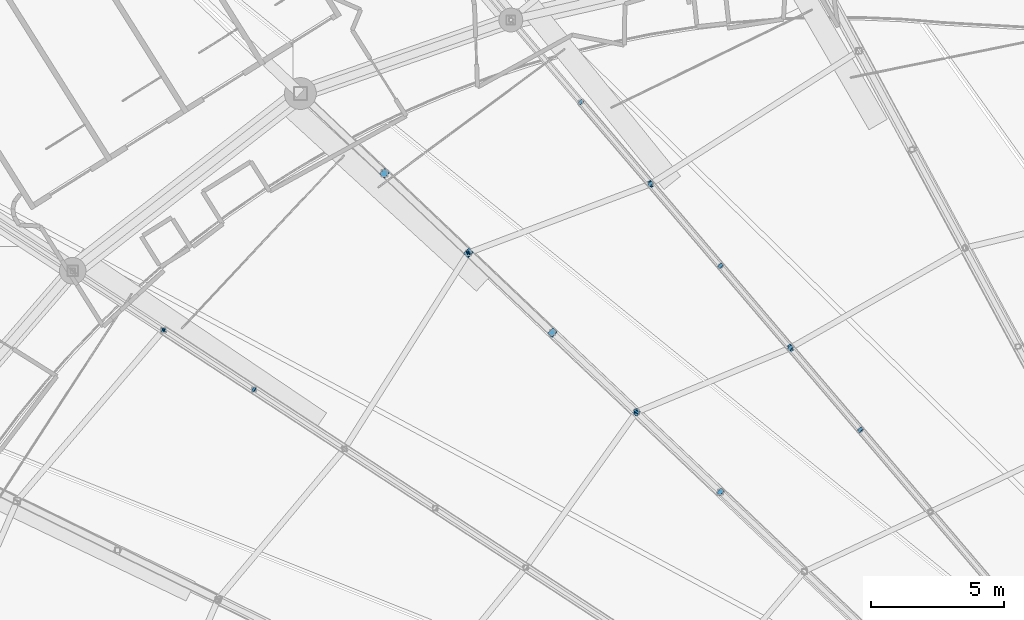
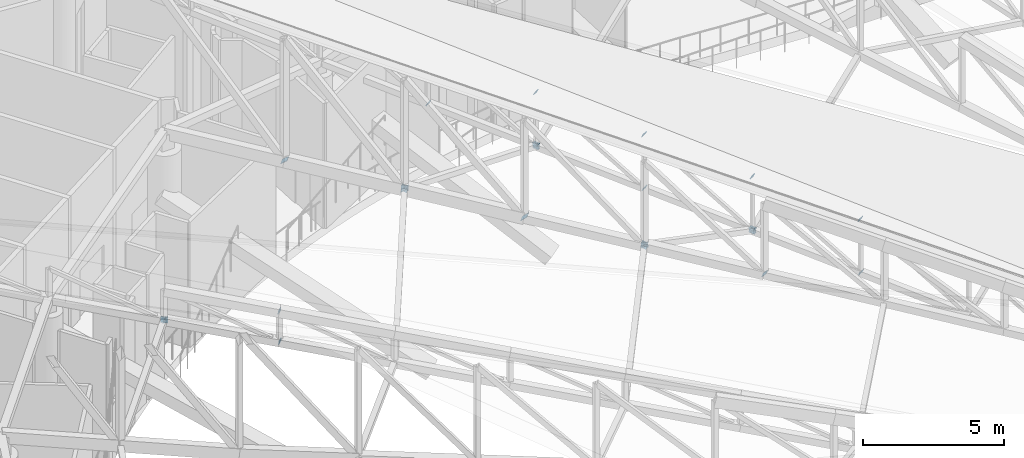
# One storey, part 317 of 344: 26 discrete accessories.
"""IFC4 building model written with IfcOpenShell, lengths in metres."""

from ifc_helpers import new_model, si_unit, direction, frame, origin, origin_2d, place, context, subcontext, project, spatial, rectangle, extrude, material, material_profile, profile_set, type_object, element, save


model = new_model("IFC4")

# Units and contexts
model_context = context("Model", 3, precision=1e-05, world=origin(), true_north=direction((0.0, 1.0)))
body_context = subcontext(model_context, "Body", "Model", "MODEL_VIEW")
ifc_project = project(units=[si_unit("LENGTHUNIT", "METRE"), si_unit("AREAUNIT", "SQUARE_METRE"), si_unit("VOLUMEUNIT", "CUBIC_METRE"), si_unit("PLANEANGLEUNIT", "RADIAN"), si_unit("MASSUNIT", "GRAM", prefix="KILO")], contexts=[model_context])

# Site, building, storey
site_placement = place(None, origin())
site = spatial("IfcSite", under=ifc_project, at=site_placement, CompositionType="ELEMENT")
building_placement = place(site_placement, origin())
building = spatial("IfcBuilding", under=site, at=building_placement, Name="Meseta Stadium", CompositionType="ELEMENT")
storey_placement = place(building_placement, frame((0.0, 0.0, 24.0)))
storey = spatial("IfcBuildingStorey", under=building, at=storey_placement, Name="L04", CompositionType="ELEMENT", Elevation=24.0)

# Discrete accessories
ifc_material_1 = material(Name="Steel S355", Category="steel")
ifc_material_profile_1 = material_profile(ifc_material_1, rectangle(XDim=0.179931640625, YDim=0.179931640625, at=origin_2d()), Name="PL 180x180")
ifc_profile_set_1 = profile_set([ifc_material_profile_1], Name="Steel S355")
discrete_accessory_type_1 = type_object("IfcDiscreteAccessoryType", Name="End plate 180x180x20", PredefinedType="ANCHORPLATE", material=ifc_profile_set_1)
for number, where, z_axis, x_axis, name in (
    (1, (-42.626220703125, 73.09521484375, 3.183837890625), (-0.514457157149, 0.600200016674, 0.612448996606), (-0.759256602365, -0.650791373456, 0.0), "End plate of ROOF TRUSS RT-23 diagonal"),
    (2, (-42.615966796875, 73.083251953125, 0.871337890625), (-0.510602919511, 0.595703406096, 0.620017830835), (-0.759256602365, -0.650791373456, 0.0), "End plate of ROOF TRUSS RT-23 diagonal"),
    (3, (-45.260986328125, 76.1845703125, 4.05615234375), (-0.514457157149, 0.600200016674, 0.612448996606), (-0.759256602365, -0.650791373456, 0.0), "End plate of ROOF TRUSS RT-23 diagonal"),
    (4, (-45.250732421875, 76.172607421875, 1.74365234375), (-0.510602919511, 0.595703406096, 0.620017830835), (-0.759256602365, -0.650791373456, 0.0), "End plate of ROOF TRUSS RT-23 diagonal"),
    (5, (-47.8955078125, 79.27392578125, 4.928466796875), (-0.510602919511, 0.595703406096, 0.620017830835), (-0.759256602365, -0.650791373456, 0.0), "End plate of ROOF TRUSS RT-23 diagonal"),
    (6, (-47.88525390625, 79.261962890625, 2.6162109375), (-0.514457157149, 0.600200016674, 0.612448996606), (-0.759256602365, -0.650791373456, 0.0), "End plate of ROOF TRUSS RT-23 diagonal"),
    (7, (-50.5302734375, 82.363037109375, 5.801025390625), (-0.51067840224, 0.607950478857, 0.607950478857), (-0.76570486479, -0.643192086423, 0.0), "End plate of ROOF TRUSS RT-23 diagonal"),
    (8, (-50.52001953125, 82.35107421875, 3.488525390625), (-0.510602919511, 0.595703406096, 0.620017830835), (-0.759256602365, -0.650791373456, 0.0), "End plate of ROOF TRUSS RT-23 diagonal"),
    (9, (-53.154541015625, 85.4404296875, 4.361083984375), (-0.514457157149, 0.600200016674, 0.612448996606), (-0.759256602365, -0.650791373456, 0.0), "End plate of ROOF TRUSS RT-23 diagonal"),
):
    element("IfcDiscreteAccessory", number, at=place(storey_placement, frame(where, z_axis=z_axis, x_axis=x_axis)), inside=storey, type_object=discrete_accessory_type_1, Name=name, PredefinedType="ANCHORPLATE", context=body_context, shape_type="SweptSolid", body=[
        extrude(rectangle(XDim=0.179931640625, YDim=0.179931640625, at=origin_2d()), origin(), (0.0, 0.0, 1.0), 0.02001953125),
    ])
discrete_accessory_1_placement = place(storey_placement, frame((-65.482421875, 74.6181640625, 6.282958984375), z_axis=(-0.751142776324, 0.48460824279, 0.448262624581), x_axis=(-0.542126869822, -0.840296648224, 0.0)))
element("IfcDiscreteAccessory", 10, at=discrete_accessory_1_placement, inside=storey, type_object=discrete_accessory_type_1, Name="End plate of ROOF TRUSS RT-25 diagonal", PredefinedType="ANCHORPLATE", context=body_context, shape_type="SweptSolid", body=[
    extrude(rectangle(XDim=0.179931640625, YDim=0.179931640625, at=origin_2d()), origin(), (0.0, 0.0, 1.0), 0.020263671875),
])
for number, where, z_axis, x_axis, name in (
    (11, (-65.467529296875, 74.6083984375, 4.973876953125), (-0.745790378384, 0.489042871072, 0.452364655741), (-0.54835696222, -0.836244367386, 0.0), "End plate of ROOF TRUSS RT-25 diagonal"),
    (12, (-68.88232421875, 76.844970703125, 5.733154296875), (-0.745790378384, 0.489042871072, 0.452364655741), (-0.54835696222, -0.836244367386, 0.0), "End plate of ROOF TRUSS RT-25 diagonal"),
):
    element("IfcDiscreteAccessory", number, at=place(storey_placement, frame(where, z_axis=z_axis, x_axis=x_axis)), inside=storey, type_object=discrete_accessory_type_1, Name=name, PredefinedType="ANCHORPLATE", context=body_context, shape_type="SweptSolid", body=[
        extrude(rectangle(XDim=0.179931640625, YDim=0.179931640625, at=origin_2d()), origin(), (0.0, 0.0, 1.0), 0.02001953125),
    ])
ifc_material_2 = material(Name="Steel S355", Category="steel")
ifc_material_profile_2 = material_profile(ifc_material_2, rectangle(XDim=0.239990234375, YDim=0.239990234375, at=origin_2d()), Name="PL 240x240")
ifc_profile_set_2 = profile_set([ifc_material_profile_2], Name="Steel S355")
discrete_accessory_type_2 = type_object("IfcDiscreteAccessoryType", Name="End plate 240x240x20", PredefinedType="ANCHORPLATE", material=ifc_profile_set_2)
for number, where, z_axis, x_axis, name in (
    (13, (-47.892578125, 70.749267578125, 4.081787109375), (-0.522258646194, 0.497967546371, 0.692296344954), (-0.690075333573, -0.723737544967, 0.0), "End plate of ROOF TRUSS RT-24 diagonal"),
    (14, (-51.058837890625, 73.752197265625, 4.59326171875), (-0.490732904812, 0.466196259571, 0.736099357218), (-0.688749461915, -0.724999433594, 0.0), "End plate of ROOF TRUSS RT-24 diagonal"),
):
    element("IfcDiscreteAccessory", number, at=place(storey_placement, frame(where, z_axis=z_axis, x_axis=x_axis)), inside=storey, type_object=discrete_accessory_type_2, Name=name, PredefinedType="ANCHORPLATE", context=body_context, shape_type="SweptSolid", body=[
        extrude(rectangle(XDim=0.239990234375, YDim=0.239990234375, at=origin_2d()), origin(), (0.0, 0.0, 1.0), 0.02001953125),
    ])
ifc_material_3 = material(Name="Steel S355", Category="steel")
ifc_material_profile_3 = material_profile(ifc_material_3, rectangle(XDim=0.260009765625, YDim=0.260009765625, at=origin_2d()), Name="PL 260x260")
ifc_profile_set_3 = profile_set([ifc_material_profile_3], Name="Steel S355")
discrete_accessory_type_3 = type_object("IfcDiscreteAccessoryType", Name="End plate 260x260x20", PredefinedType="ANCHORPLATE", material=ifc_profile_set_3)
for number, where, z_axis, x_axis, name in (
    (15, (-45.260986328125, 76.1845703125, 1.756103515625), (-0.802672654344, -0.462144861592, -0.377012913404), (0.498964444867, -0.866622456874, 0.0), "End plate of ROOF TRUSS STRUT RT-22/23"),
    (16, (-50.5302734375, 82.363037109375, 3.5009765625), (-0.809404787911, -0.515075774125, -0.282065304878), (0.536875492193, -0.843661487732, 0.0), "End plate of ROOF TRUSS STRUT RT-22/23"),
    (17, (-45.244140625, 76.191650390625, 1.747802734375), (-0.839344013084, -0.352767773615, 0.413589803549), (0.387459617732, -0.921886676673, 0.0), "End plate of ROOF TRUSS STRUT RT-23/24"),
    (18, (-51.068603515625, 73.761474609375, 4.60791015625), (-0.842906264953, -0.342048919111, 0.415345116064), (0.376016806025, -0.926612843418, 0.0), "End plate of ROOF TRUSS STRUT RT-23/24"),
    (19, (-50.51220703125, 82.369873046875, 3.495361328125), (-0.898108517943, -0.339824844627, 0.279141836658), (0.353892097416, -0.935286257456, 0.0), "End plate of ROOF TRUSS STRUT RT-23/24"),
    (20, (-57.39990234375, 79.766357421875, 5.632568359375), (-0.898108517943, -0.339824844627, 0.279141836658), (0.353892097416, -0.935286257456, 0.0), "End plate of ROOF TRUSS STRUT RT-23/24"),
    (21, (-51.057373046875, 73.77734375, 4.613037109375), (-0.558571713557, -0.789286116983, -0.255000130102), (0.816271211705, -0.577668857514, 0.0), "End plate of ROOF TRUSS STRUT RT-24/25"),
):
    element("IfcDiscreteAccessory", number, at=place(storey_placement, frame(where, z_axis=z_axis, x_axis=x_axis)), inside=storey, type_object=discrete_accessory_type_3, Name=name, PredefinedType="ANCHORPLATE", context=body_context, shape_type="SweptSolid", body=[
        extrude(rectangle(XDim=0.260009765625, YDim=0.260009765625, at=origin_2d()), origin(), (0.0, 0.0, 1.0), 0.02001953125),
    ])
discrete_accessory_2_placement = place(storey_placement, frame((-57.389404296875, 79.782958984375, 5.6357421875), z_axis=(-0.527617291246, -0.834371530343, -0.15951220433), x_axis=(0.845193423646, -0.534460547305, 0.0)))
element("IfcDiscreteAccessory", 22, at=discrete_accessory_2_placement, inside=storey, type_object=discrete_accessory_type_3, Name="End plate of ROOF TRUSS STRUT RT-24/25", PredefinedType="ANCHORPLATE", context=body_context, shape_type="SweptSolid", body=[
    extrude(rectangle(XDim=0.260009765625, YDim=0.260009765625, at=origin_2d()), origin(), (0.0, 0.0, 1.0), 0.019775390625),
])
discrete_accessory_3_placement = place(storey_placement, frame((-68.88427734375, 76.869873046875, 5.7412109375), z_axis=(-0.649001216561, -0.759208970316, 0.048981223891), x_axis=(0.760121344352, -0.649781149204, 0.0)))
element("IfcDiscreteAccessory", 23, at=discrete_accessory_3_placement, inside=storey, type_object=discrete_accessory_type_3, Name="End plate of ROOF TRUSS STRUT RT-25/26", PredefinedType="ANCHORPLATE", context=body_context, shape_type="SweptSolid", body=[
    extrude(rectangle(XDim=0.260009765625, YDim=0.260009765625, at=origin_2d()), origin(), (0.0, 0.0, 1.0), 0.02001953125),
])
ifc_material_4 = material(Name="Steel S355", Category="steel")
ifc_material_profile_4 = material_profile(ifc_material_4, rectangle(XDim=0.2900390625, YDim=0.2900390625, at=origin_2d()), Name="PL 290x290")
ifc_profile_set_4 = profile_set([ifc_material_profile_4], Name="Steel S355")
discrete_accessory_type_4 = type_object("IfcDiscreteAccessoryType", Name="End plate 290x290x20", PredefinedType="ANCHORPLATE", material=ifc_profile_set_4)
for number, where, z_axis, x_axis, name in (
    (24, (-54.22509765625, 76.755126953125, 5.10498046875), (-0.463932396738, 0.439514902173, 0.769151078803), (-0.687744647911, -0.725952683906, 0.0), "End plate of ROOF TRUSS RT-24 diagonal"),
    (25, (-57.39111328125, 79.758056640625, 5.61669921875), (-0.4405668466, 0.416090910678, 0.795467917472), (-0.686623532964, -0.72701315255, 0.0), "End plate of ROOF TRUSS RT-24 diagonal"),
    (26, (-60.557373046875, 82.7607421875, 6.128662109375), (-0.416340403077, 0.391849791131, 0.820435500181), (-0.685364699005, -0.728199992693, 0.0), "End plate of ROOF TRUSS RT-24 diagonal"),
):
    element("IfcDiscreteAccessory", number, at=place(storey_placement, frame(where, z_axis=z_axis, x_axis=x_axis)), inside=storey, type_object=discrete_accessory_type_4, Name=name, PredefinedType="ANCHORPLATE", context=body_context, shape_type="SweptSolid", body=[
        extrude(rectangle(XDim=0.2900390625, YDim=0.2900390625, at=origin_2d()), origin(), (0.0, 0.0, 1.0), 0.02001953125),
    ])

save(model, "model.ifc")
